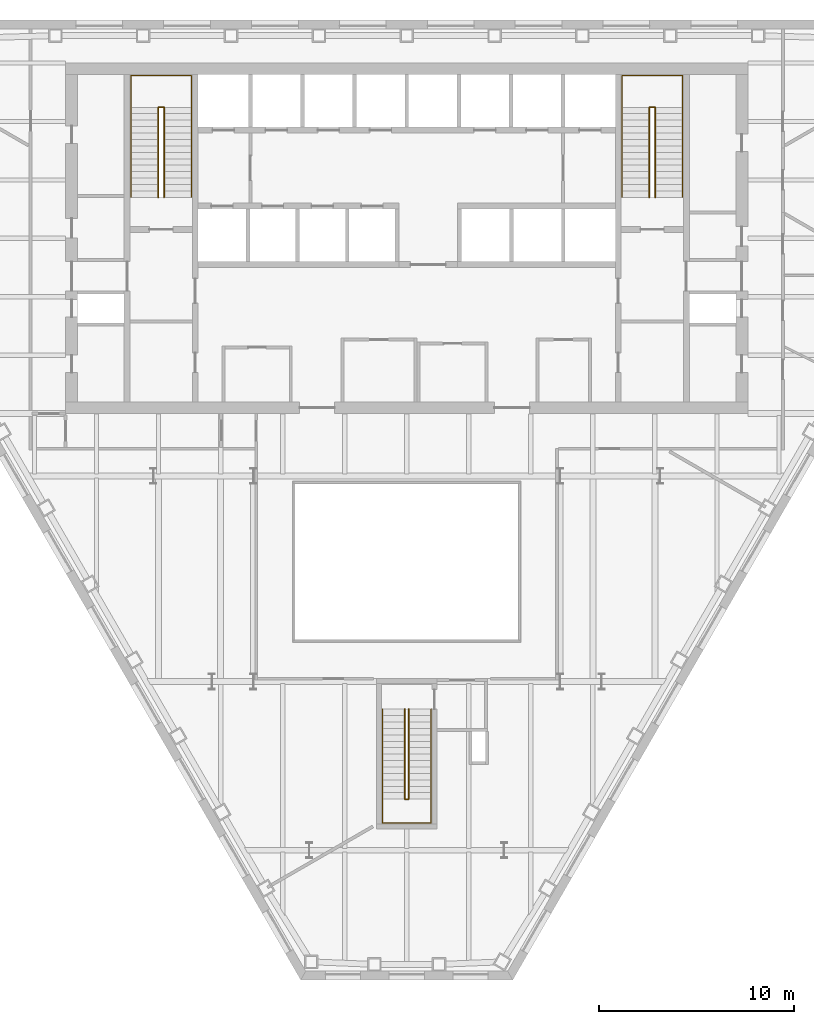
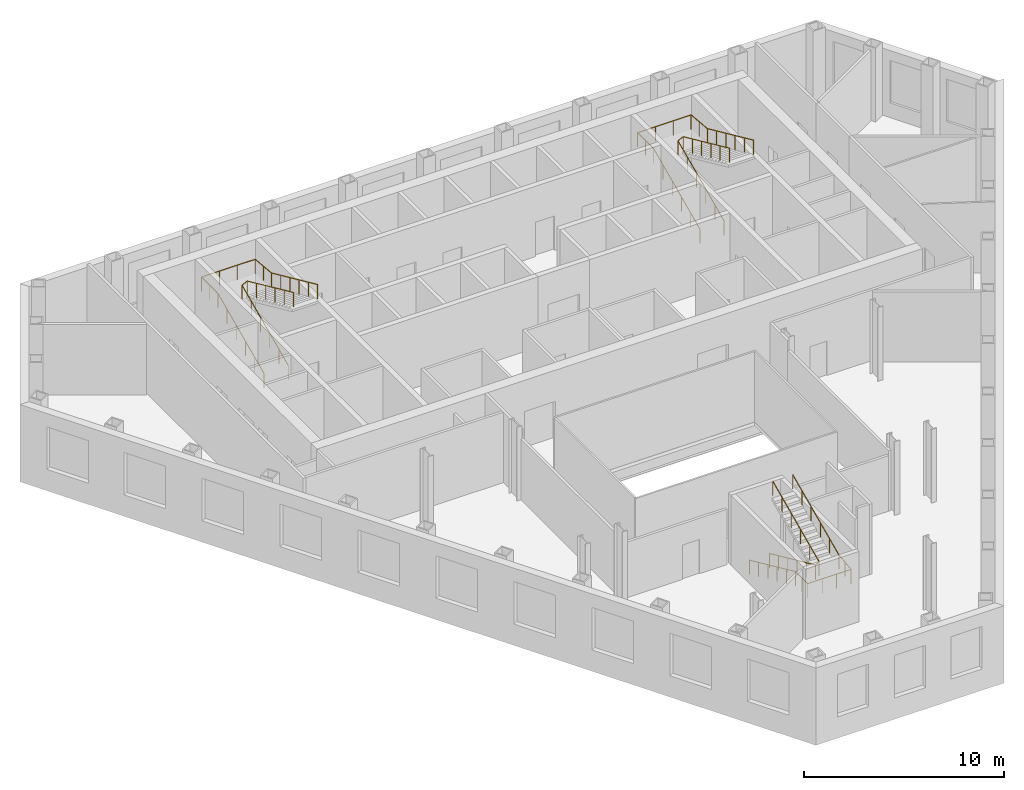
# One storey, part 10 of 10: 6 railings.
"""IFC4 building model written with IfcOpenShell, lengths in metres."""

from ifc_helpers import new_model, si_unit, direction, frame, origin, origin_2d, place, context, subcontext, project, spatial, circle, extrude, material, type_object, element, save


model = new_model("IFC4")

# Units and contexts
model_context = context("Model", 3, precision=1e-05, world=origin(), true_north=direction((0.0, 1.0)))
body_context = subcontext(model_context, "Body", "Model", "MODEL_VIEW")
ifc_project = project(units=[si_unit("LENGTHUNIT", "METRE"), si_unit("AREAUNIT", "SQUARE_METRE"), si_unit("VOLUMEUNIT", "CUBIC_METRE"), si_unit("PLANEANGLEUNIT", "RADIAN"), si_unit("MASSUNIT", "GRAM", prefix="KILO")], contexts=[model_context])

# Site, building, storey
site_placement = place(None, origin())
site = spatial("IfcSite", under=ifc_project, at=site_placement, CompositionType="ELEMENT")
building_placement = place(site_placement, origin())
building = spatial("IfcBuilding", under=site, at=building_placement, Name="Njiva Tower", CompositionType="ELEMENT")
storey_placement = place(building_placement, frame((0.0, 0.0, 73.8)))
storey = spatial("IfcBuildingStorey", under=building, at=storey_placement, Name="L15", CompositionType="ELEMENT", Elevation=73.8)

# Railings
ifc_material = material(Name="Stainless steel", Category="steel")
railing_type = type_object("IfcRailingType", Name="RL1 Stair handrail 900", PredefinedType="HANDRAIL", material=ifc_material)
railing_1_placement = place(storey_placement, frame((-14.15, 11.1, 0.15)))
element("IfcRailing", 1, at=railing_1_placement, inside=storey, type_object=railing_type, Name="Stair A handrail", PredefinedType="HANDRAIL", context=body_context, shape_type="SweptSolid", body=[
    extrude(circle(Radius=0.024, at=origin_2d()), frame((0.0, 0.0, 0.876), z_axis=(0.0, 0.910366477463, 0.413802944301), x_axis=(-1.0, 0.0, 0.0)), (0.0, 0.0, 1.0), 5.0749),
    extrude(circle(Radius=0.024, at=origin_2d()), frame((0.0, 4.62, 2.976), z_axis=(0.0, 1.0, 0.0), x_axis=(-1.0, 0.0, 0.0)), (0.0, 0.0, 1.0), 1.63),
    extrude(circle(Radius=0.024, at=origin_2d()), frame((0.0, 6.25, 2.976), z_axis=(1.0, 0.0, 0.0), x_axis=(0.0, 1.0, 0.0)), (0.0, 0.0, 1.0), 3.1),
    extrude(circle(Radius=0.024, at=origin_2d()), frame((3.1, 6.25, 2.976), z_axis=(0.0, -0.995792447047, 0.091637341753), x_axis=(1.0, 0.0, 0.0)), (0.0, 0.0, 1.0), 1.6369),
    extrude(circle(Radius=0.024, at=origin_2d()), frame((3.1, 4.62, 3.126), z_axis=(0.0, -0.910366477463, 0.413802944301), x_axis=(1.0, 0.0, 0.0)), (0.0, 0.0, 1.0), 5.0749),
    extrude(circle(Radius=0.021, at=origin_2d()), origin(), (0.0, 0.0, 1.0), 0.852),
    extrude(circle(Radius=0.021, at=origin_2d()), frame((0.0, 0.924, 0.42)), (0.0, 0.0, 1.0), 0.852),
    extrude(circle(Radius=0.021, at=origin_2d()), frame((0.0, 1.848, 0.84)), (0.0, 0.0, 1.0), 0.852),
    extrude(circle(Radius=0.021, at=origin_2d()), frame((0.0, 2.772, 1.26)), (0.0, 0.0, 1.0), 0.852),
    extrude(circle(Radius=0.021, at=origin_2d()), frame((0.0, 3.696, 1.68)), (0.0, 0.0, 1.0), 0.852),
    extrude(circle(Radius=0.021, at=origin_2d()), frame((0.0, 4.62, 2.1)), (0.0, 0.0, 1.0), 0.852),
    extrude(circle(Radius=0.021, at=origin_2d()), frame((0.0, 5.435, 2.1)), (0.0, 0.0, 1.0), 0.852),
    extrude(circle(Radius=0.021, at=origin_2d()), frame((0.0, 6.25, 2.1)), (0.0, 0.0, 1.0), 0.852),
    extrude(circle(Radius=0.021, at=origin_2d()), frame((1.0333, 6.25, 2.1)), (0.0, 0.0, 1.0), 0.852),
    extrude(circle(Radius=0.021, at=origin_2d()), frame((2.0667, 6.25, 2.1)), (0.0, 0.0, 1.0), 0.852),
    extrude(circle(Radius=0.021, at=origin_2d()), frame((3.1, 6.25, 2.1)), (0.0, 0.0, 1.0), 0.852),
    extrude(circle(Radius=0.021, at=origin_2d()), frame((3.1, 5.435, 2.175)), (0.0, 0.0, 1.0), 0.852),
    extrude(circle(Radius=0.021, at=origin_2d()), frame((3.1, 4.62, 2.25)), (0.0, 0.0, 1.0), 0.852),
    extrude(circle(Radius=0.021, at=origin_2d()), frame((3.1, 3.696, 2.67)), (0.0, 0.0, 1.0), 0.852),
    extrude(circle(Radius=0.021, at=origin_2d()), frame((3.1, 2.772, 3.09)), (0.0, 0.0, 1.0), 0.852),
    extrude(circle(Radius=0.021, at=origin_2d()), frame((3.1, 1.848, 3.51)), (0.0, 0.0, 1.0), 0.852),
    extrude(circle(Radius=0.021, at=origin_2d()), frame((3.1, 0.924, 3.93)), (0.0, 0.0, 1.0), 0.852),
    extrude(circle(Radius=0.021, at=origin_2d()), frame((3.1, 0.0, 4.35)), (0.0, 0.0, 1.0), 0.852),
])
railing_2_placement = place(storey_placement, frame((-12.75, 11.1, 0.15)))
element("IfcRailing", 2, at=railing_2_placement, inside=storey, type_object=railing_type, Name="Stair A handrail", PredefinedType="HANDRAIL", context=body_context, shape_type="SweptSolid", body=[
    extrude(circle(Radius=0.024, at=origin_2d()), frame((0.0, 0.0, 0.876), z_axis=(0.0, 0.910366477463, 0.413802944301), x_axis=(-1.0, 0.0, 0.0)), (0.0, 0.0, 1.0), 5.0749),
    extrude(circle(Radius=0.024, at=origin_2d()), frame((0.0, 4.62, 2.976), z_axis=(0.894427191, 0.0, 0.4472135955), x_axis=(0.0, 1.0, 0.0)), (0.0, 0.0, 1.0), 0.3354),
    extrude(circle(Radius=0.024, at=origin_2d()), frame((0.3, 4.62, 3.126), z_axis=(0.0, -0.910366477463, 0.413802944301), x_axis=(1.0, 0.0, 0.0)), (0.0, 0.0, 1.0), 5.0749),
    extrude(circle(Radius=0.021, at=origin_2d()), origin(), (0.0, 0.0, 1.0), 0.852),
    extrude(circle(Radius=0.021, at=origin_2d()), frame((0.0, 0.924, 0.42)), (0.0, 0.0, 1.0), 0.852),
    extrude(circle(Radius=0.021, at=origin_2d()), frame((0.0, 1.848, 0.84)), (0.0, 0.0, 1.0), 0.852),
    extrude(circle(Radius=0.021, at=origin_2d()), frame((0.0, 2.772, 1.26)), (0.0, 0.0, 1.0), 0.852),
    extrude(circle(Radius=0.021, at=origin_2d()), frame((0.0, 3.696, 1.68)), (0.0, 0.0, 1.0), 0.852),
    extrude(circle(Radius=0.021, at=origin_2d()), frame((0.0, 4.62, 2.1)), (0.0, 0.0, 1.0), 0.852),
    extrude(circle(Radius=0.021, at=origin_2d()), frame((0.3, 4.62, 2.25)), (0.0, 0.0, 1.0), 0.852),
    extrude(circle(Radius=0.021, at=origin_2d()), frame((0.3, 3.696, 2.67)), (0.0, 0.0, 1.0), 0.852),
    extrude(circle(Radius=0.021, at=origin_2d()), frame((0.3, 2.772, 3.09)), (0.0, 0.0, 1.0), 0.852),
    extrude(circle(Radius=0.021, at=origin_2d()), frame((0.3, 1.848, 3.51)), (0.0, 0.0, 1.0), 0.852),
    extrude(circle(Radius=0.021, at=origin_2d()), frame((0.3, 0.924, 3.93)), (0.0, 0.0, 1.0), 0.852),
    extrude(circle(Radius=0.021, at=origin_2d()), frame((0.3, 0.0, 4.35)), (0.0, 0.0, 1.0), 0.852),
])
railing_3_placement = place(storey_placement, frame((11.05, 11.1, 0.15)))
element("IfcRailing", 3, at=railing_3_placement, inside=storey, type_object=railing_type, Name="Stair B handrail", PredefinedType="HANDRAIL", context=body_context, shape_type="SweptSolid", body=[
    extrude(circle(Radius=0.024, at=origin_2d()), frame((0.0, 0.0, 0.876), z_axis=(0.0, 0.910366477463, 0.413802944301), x_axis=(-1.0, 0.0, 0.0)), (0.0, 0.0, 1.0), 5.0749),
    extrude(circle(Radius=0.024, at=origin_2d()), frame((0.0, 4.62, 2.976), z_axis=(0.0, 1.0, 0.0), x_axis=(-1.0, 0.0, 0.0)), (0.0, 0.0, 1.0), 1.63),
    extrude(circle(Radius=0.024, at=origin_2d()), frame((0.0, 6.25, 2.976), z_axis=(1.0, 0.0, 0.0), x_axis=(0.0, 1.0, 0.0)), (0.0, 0.0, 1.0), 3.1),
    extrude(circle(Radius=0.024, at=origin_2d()), frame((3.1, 6.25, 2.976), z_axis=(0.0, -0.995792447047, 0.091637341753), x_axis=(1.0, 0.0, 0.0)), (0.0, 0.0, 1.0), 1.6369),
    extrude(circle(Radius=0.024, at=origin_2d()), frame((3.1, 4.62, 3.126), z_axis=(0.0, -0.910366477463, 0.413802944301), x_axis=(1.0, 0.0, 0.0)), (0.0, 0.0, 1.0), 5.0749),
    extrude(circle(Radius=0.021, at=origin_2d()), origin(), (0.0, 0.0, 1.0), 0.852),
    extrude(circle(Radius=0.021, at=origin_2d()), frame((0.0, 0.924, 0.42)), (0.0, 0.0, 1.0), 0.852),
    extrude(circle(Radius=0.021, at=origin_2d()), frame((0.0, 1.848, 0.84)), (0.0, 0.0, 1.0), 0.852),
    extrude(circle(Radius=0.021, at=origin_2d()), frame((0.0, 2.772, 1.26)), (0.0, 0.0, 1.0), 0.852),
    extrude(circle(Radius=0.021, at=origin_2d()), frame((0.0, 3.696, 1.68)), (0.0, 0.0, 1.0), 0.852),
    extrude(circle(Radius=0.021, at=origin_2d()), frame((0.0, 4.62, 2.1)), (0.0, 0.0, 1.0), 0.852),
    extrude(circle(Radius=0.021, at=origin_2d()), frame((0.0, 5.435, 2.1)), (0.0, 0.0, 1.0), 0.852),
    extrude(circle(Radius=0.021, at=origin_2d()), frame((0.0, 6.25, 2.1)), (0.0, 0.0, 1.0), 0.852),
    extrude(circle(Radius=0.021, at=origin_2d()), frame((1.0333, 6.25, 2.1)), (0.0, 0.0, 1.0), 0.852),
    extrude(circle(Radius=0.021, at=origin_2d()), frame((2.0667, 6.25, 2.1)), (0.0, 0.0, 1.0), 0.852),
    extrude(circle(Radius=0.021, at=origin_2d()), frame((3.1, 6.25, 2.1)), (0.0, 0.0, 1.0), 0.852),
    extrude(circle(Radius=0.021, at=origin_2d()), frame((3.1, 5.435, 2.175)), (0.0, 0.0, 1.0), 0.852),
    extrude(circle(Radius=0.021, at=origin_2d()), frame((3.1, 4.62, 2.25)), (0.0, 0.0, 1.0), 0.852),
    extrude(circle(Radius=0.021, at=origin_2d()), frame((3.1, 3.696, 2.67)), (0.0, 0.0, 1.0), 0.852),
    extrude(circle(Radius=0.021, at=origin_2d()), frame((3.1, 2.772, 3.09)), (0.0, 0.0, 1.0), 0.852),
    extrude(circle(Radius=0.021, at=origin_2d()), frame((3.1, 1.848, 3.51)), (0.0, 0.0, 1.0), 0.852),
    extrude(circle(Radius=0.021, at=origin_2d()), frame((3.1, 0.924, 3.93)), (0.0, 0.0, 1.0), 0.852),
    extrude(circle(Radius=0.021, at=origin_2d()), frame((3.1, 0.0, 4.35)), (0.0, 0.0, 1.0), 0.852),
])
railing_4_placement = place(storey_placement, frame((12.45, 11.1, 0.15)))
element("IfcRailing", 4, at=railing_4_placement, inside=storey, type_object=railing_type, Name="Stair B handrail", PredefinedType="HANDRAIL", context=body_context, shape_type="SweptSolid", body=[
    extrude(circle(Radius=0.024, at=origin_2d()), frame((0.0, 0.0, 0.876), z_axis=(0.0, 0.910366477463, 0.413802944301), x_axis=(-1.0, 0.0, 0.0)), (0.0, 0.0, 1.0), 5.0749),
    extrude(circle(Radius=0.024, at=origin_2d()), frame((0.0, 4.62, 2.976), z_axis=(0.894427191, 0.0, 0.4472135955), x_axis=(0.0, 1.0, 0.0)), (0.0, 0.0, 1.0), 0.3354),
    extrude(circle(Radius=0.024, at=origin_2d()), frame((0.3, 4.62, 3.126), z_axis=(0.0, -0.910366477463, 0.413802944301), x_axis=(1.0, 0.0, 0.0)), (0.0, 0.0, 1.0), 5.0749),
    extrude(circle(Radius=0.021, at=origin_2d()), origin(), (0.0, 0.0, 1.0), 0.852),
    extrude(circle(Radius=0.021, at=origin_2d()), frame((0.0, 0.924, 0.42)), (0.0, 0.0, 1.0), 0.852),
    extrude(circle(Radius=0.021, at=origin_2d()), frame((0.0, 1.848, 0.84)), (0.0, 0.0, 1.0), 0.852),
    extrude(circle(Radius=0.021, at=origin_2d()), frame((0.0, 2.772, 1.26)), (0.0, 0.0, 1.0), 0.852),
    extrude(circle(Radius=0.021, at=origin_2d()), frame((0.0, 3.696, 1.68)), (0.0, 0.0, 1.0), 0.852),
    extrude(circle(Radius=0.021, at=origin_2d()), frame((0.0, 4.62, 2.1)), (0.0, 0.0, 1.0), 0.852),
    extrude(circle(Radius=0.021, at=origin_2d()), frame((0.3, 4.62, 2.25)), (0.0, 0.0, 1.0), 0.852),
    extrude(circle(Radius=0.021, at=origin_2d()), frame((0.3, 3.696, 2.67)), (0.0, 0.0, 1.0), 0.852),
    extrude(circle(Radius=0.021, at=origin_2d()), frame((0.3, 2.772, 3.09)), (0.0, 0.0, 1.0), 0.852),
    extrude(circle(Radius=0.021, at=origin_2d()), frame((0.3, 1.848, 3.51)), (0.0, 0.0, 1.0), 0.852),
    extrude(circle(Radius=0.021, at=origin_2d()), frame((0.3, 0.924, 3.93)), (0.0, 0.0, 1.0), 0.852),
    extrude(circle(Radius=0.021, at=origin_2d()), frame((0.3, 0.0, 4.35)), (0.0, 0.0, 1.0), 0.852),
])
railing_5_placement = place(storey_placement, frame((-1.25, -15.16, 0.15)))
element("IfcRailing", 5, at=railing_5_placement, inside=storey, type_object=railing_type, Name="Stair C handrail", PredefinedType="HANDRAIL", context=body_context, shape_type="SweptSolid", body=[
    extrude(circle(Radius=0.024, at=origin_2d()), frame((0.0, 0.0, 0.876), z_axis=(0.0, -0.910366477463, 0.413802944301), x_axis=(1.0, 0.0, 0.0)), (0.0, 0.0, 1.0), 5.0749),
    extrude(circle(Radius=0.024, at=origin_2d()), frame((0.0, -4.62, 2.976), z_axis=(0.0, -1.0, 0.0), x_axis=(1.0, 0.0, 0.0)), (0.0, 0.0, 1.0), 1.22),
    extrude(circle(Radius=0.024, at=origin_2d()), frame((0.0, -5.84, 2.976), z_axis=(1.0, 0.0, 0.0), x_axis=(0.0, 1.0, 0.0)), (0.0, 0.0, 1.0), 2.5),
    extrude(circle(Radius=0.024, at=origin_2d()), frame((2.5, -5.84, 2.976), z_axis=(0.0, 0.992526177815, 0.122031907108), x_axis=(-1.0, 0.0, 0.0)), (0.0, 0.0, 1.0), 1.2292),
    extrude(circle(Radius=0.024, at=origin_2d()), frame((2.5, -4.62, 3.126), z_axis=(0.0, 0.910366477463, 0.413802944301), x_axis=(-1.0, 0.0, 0.0)), (0.0, 0.0, 1.0), 5.0749),
    extrude(circle(Radius=0.021, at=origin_2d()), origin(), (0.0, 0.0, 1.0), 0.852),
    extrude(circle(Radius=0.021, at=origin_2d()), frame((0.0, -0.924, 0.42)), (0.0, 0.0, 1.0), 0.852),
    extrude(circle(Radius=0.021, at=origin_2d()), frame((0.0, -1.848, 0.84)), (0.0, 0.0, 1.0), 0.852),
    extrude(circle(Radius=0.021, at=origin_2d()), frame((0.0, -2.772, 1.26)), (0.0, 0.0, 1.0), 0.852),
    extrude(circle(Radius=0.021, at=origin_2d()), frame((0.0, -3.696, 1.68)), (0.0, 0.0, 1.0), 0.852),
    extrude(circle(Radius=0.021, at=origin_2d()), frame((0.0, -4.62, 2.1)), (0.0, 0.0, 1.0), 0.852),
    extrude(circle(Radius=0.021, at=origin_2d()), frame((0.0, -5.23, 2.1)), (0.0, 0.0, 1.0), 0.852),
    extrude(circle(Radius=0.021, at=origin_2d()), frame((0.0, -5.84, 2.1)), (0.0, 0.0, 1.0), 0.852),
    extrude(circle(Radius=0.021, at=origin_2d()), frame((0.8333, -5.84, 2.1)), (0.0, 0.0, 1.0), 0.852),
    extrude(circle(Radius=0.021, at=origin_2d()), frame((1.6667, -5.84, 2.1)), (0.0, 0.0, 1.0), 0.852),
    extrude(circle(Radius=0.021, at=origin_2d()), frame((2.5, -5.84, 2.1)), (0.0, 0.0, 1.0), 0.852),
    extrude(circle(Radius=0.021, at=origin_2d()), frame((2.5, -5.23, 2.175)), (0.0, 0.0, 1.0), 0.852),
    extrude(circle(Radius=0.021, at=origin_2d()), frame((2.5, -4.62, 2.25)), (0.0, 0.0, 1.0), 0.852),
    extrude(circle(Radius=0.021, at=origin_2d()), frame((2.5, -3.696, 2.67)), (0.0, 0.0, 1.0), 0.852),
    extrude(circle(Radius=0.021, at=origin_2d()), frame((2.5, -2.772, 3.09)), (0.0, 0.0, 1.0), 0.852),
    extrude(circle(Radius=0.021, at=origin_2d()), frame((2.5, -1.848, 3.51)), (0.0, 0.0, 1.0), 0.852),
    extrude(circle(Radius=0.021, at=origin_2d()), frame((2.5, -0.924, 3.93)), (0.0, 0.0, 1.0), 0.852),
    extrude(circle(Radius=0.021, at=origin_2d()), frame((2.5, 0.0, 4.35)), (0.0, 0.0, 1.0), 0.852),
])
railing_6_placement = place(storey_placement, frame((-0.1, -15.16, 0.15)))
element("IfcRailing", 6, at=railing_6_placement, inside=storey, type_object=railing_type, Name="Stair C handrail", PredefinedType="HANDRAIL", context=body_context, shape_type="SweptSolid", body=[
    extrude(circle(Radius=0.024, at=origin_2d()), frame((0.0, 0.0, 0.876), z_axis=(0.0, -0.910366477463, 0.413802944301), x_axis=(1.0, 0.0, 0.0)), (0.0, 0.0, 1.0), 5.0749),
    extrude(circle(Radius=0.024, at=origin_2d()), frame((0.0, -4.62, 2.976), z_axis=(0.8, 0.0, 0.6), x_axis=(0.0, 1.0, 0.0)), (0.0, 0.0, 1.0), 0.25),
    extrude(circle(Radius=0.024, at=origin_2d()), frame((0.2, -4.62, 3.126), z_axis=(0.0, 0.910366477463, 0.413802944301), x_axis=(-1.0, 0.0, 0.0)), (0.0, 0.0, 1.0), 5.0749),
    extrude(circle(Radius=0.021, at=origin_2d()), origin(), (0.0, 0.0, 1.0), 0.852),
    extrude(circle(Radius=0.021, at=origin_2d()), frame((0.0, -0.924, 0.42)), (0.0, 0.0, 1.0), 0.852),
    extrude(circle(Radius=0.021, at=origin_2d()), frame((0.0, -1.848, 0.84)), (0.0, 0.0, 1.0), 0.852),
    extrude(circle(Radius=0.021, at=origin_2d()), frame((0.0, -2.772, 1.26)), (0.0, 0.0, 1.0), 0.852),
    extrude(circle(Radius=0.021, at=origin_2d()), frame((0.0, -3.696, 1.68)), (0.0, 0.0, 1.0), 0.852),
    extrude(circle(Radius=0.021, at=origin_2d()), frame((0.0, -4.62, 2.1)), (0.0, 0.0, 1.0), 0.852),
    extrude(circle(Radius=0.021, at=origin_2d()), frame((0.2, -4.62, 2.25)), (0.0, 0.0, 1.0), 0.852),
    extrude(circle(Radius=0.021, at=origin_2d()), frame((0.2, -3.696, 2.67)), (0.0, 0.0, 1.0), 0.852),
    extrude(circle(Radius=0.021, at=origin_2d()), frame((0.2, -2.772, 3.09)), (0.0, 0.0, 1.0), 0.852),
    extrude(circle(Radius=0.021, at=origin_2d()), frame((0.2, -1.848, 3.51)), (0.0, 0.0, 1.0), 0.852),
    extrude(circle(Radius=0.021, at=origin_2d()), frame((0.2, -0.924, 3.93)), (0.0, 0.0, 1.0), 0.852),
    extrude(circle(Radius=0.021, at=origin_2d()), frame((0.2, 0.0, 4.35)), (0.0, 0.0, 1.0), 0.852),
])

save(model, "model.ifc")
